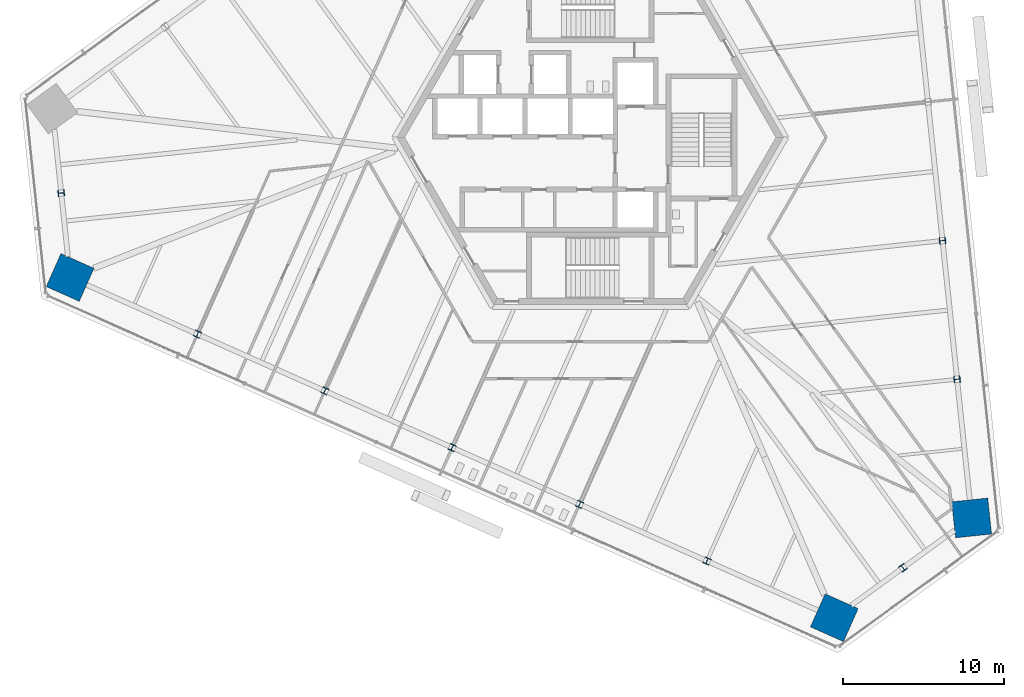
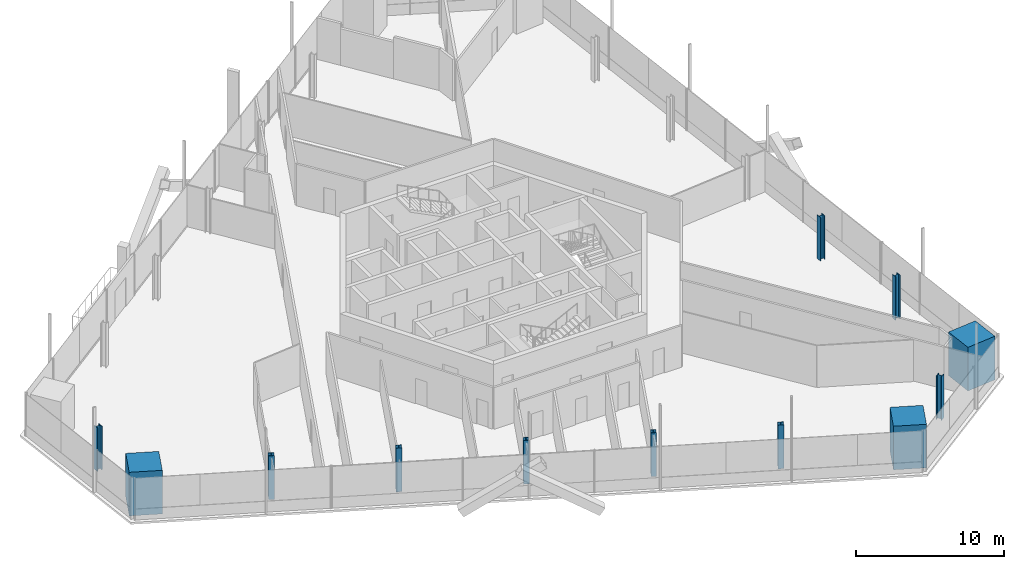
# One storey, part 1 of 21: 12 columns.
"""IFC4 building model written with IfcOpenShell, lengths in metres."""

from ifc_helpers import new_model, si_unit, direction, frame, origin, origin_2d, place, context, subcontext, project, spatial, rectangle, i_section, extrude, source, transform, mapped, material, material_profile, profile_set, type_object, element, save


model = new_model("IFC4")

# Units and contexts
model_context = context("Model", 3, precision=1e-05, world=origin(), true_north=direction((0.0, 1.0)))
body_context = subcontext(model_context, "Body", "Model", "MODEL_VIEW")
ifc_project = project(units=[si_unit("LENGTHUNIT", "METRE"), si_unit("AREAUNIT", "SQUARE_METRE"), si_unit("VOLUMEUNIT", "CUBIC_METRE"), si_unit("PLANEANGLEUNIT", "RADIAN"), si_unit("MASSUNIT", "GRAM", prefix="KILO")], contexts=[model_context])

# Site, building, storey
site_placement = place(None, origin())
site = spatial("IfcSite", under=ifc_project, at=site_placement, CompositionType="ELEMENT")
building_placement = place(site_placement, origin())
building = spatial("IfcBuilding", under=site, at=building_placement, Name="Triune Harvest Tower", CompositionType="ELEMENT")
storey_placement = place(building_placement, frame((0.0, 0.0, 72.89990234375)))
storey = spatial("IfcBuildingStorey", under=building, at=storey_placement, Name="L17", CompositionType="ELEMENT", Elevation=72.89990234375)

# Columns
ifc_material_1 = material(Name="Concrete 70 MPa", Category="concrete")
ifc_material_profile_1 = material_profile(ifc_material_1, rectangle(XDim=2.25, YDim=2.25, at=origin_2d()), Name="Composite 2250x2250")
ifc_profile_set_1 = profile_set([ifc_material_profile_1], Name="Concrete 70 MPa")
column_type_1 = type_object("IfcColumnType", Name="MC-2 Mega column Composite 2250x2250", PredefinedType="COLUMN", material=ifc_profile_set_1)
shared_shape_1 = source(origin(), body_context, "Body", "SweptSolid", [
    extrude(rectangle(XDim=2.25, YDim=2.25, at=origin_2d()), origin(), (0.0, 0.0, 1.0), 3.60009765625),
])
for number, where, z_axis, x_axis, name in (
    (1, (23.693359375, -23.6396484375, 0.0), (0.0, 0.0, 1.0), (-0.104526727499, 0.994522077803, 0.0), "col/L17/M0"),
    (2, (-32.319091796875, -8.69921875, 0.0), (0.0, 0.0, 1.0), (0.913545457643, -0.406736643076, 0.0), "col/L17/M16"),
    (3, (15.160888671875, -29.8388671875, 0.0), (0.0, 0.0, 1.0), (0.913545457643, -0.406736643076, 0.0), "col/L17/M22"),
):
    element("IfcColumn", number, at=place(storey_placement, frame(where, z_axis=z_axis, x_axis=x_axis)), inside=storey, type_object=column_type_1, Name=name, PredefinedType="COLUMN", context=body_context, shape_type="MappedRepresentation", body=[
        mapped(shared_shape_1, transform((0.0, 0.0, 0.0), scale=1.0)),
    ])
ifc_material_2 = material(Name="Steel ASTM A992 Gr 50", Category="steel")
ifc_material_profile_2 = material_profile(ifc_material_2, i_section(OverallWidth=0.398681640625, OverallDepth=0.393798828125, WebThickness=0.022705078125, FlangeThickness=0.03662109375, at=origin_2d()), Name="W14x193")
ifc_profile_set_2 = profile_set([ifc_material_profile_2], Name="Steel ASTM A992 Gr 50")
column_type_2 = type_object("IfcColumnType", Name="PC-2 Perimeter column W14x193", PredefinedType="COLUMN", material=ifc_profile_set_2)
shared_shape_2 = source(origin(), body_context, "Body", "SweptSolid", [
    extrude(i_section(OverallWidth=0.398681640625, OverallDepth=0.393798828125, WebThickness=0.022705078125, FlangeThickness=0.03662109375, at=origin_2d()), origin(), (0.0, 0.0, 1.0), 3.60009765625),
])
for number, where, z_axis, x_axis, name in (
    (4, (22.787841796875, -15.02490234375, 0.0), (0.0, 0.0, 1.0), (-0.104526727499, 0.994522077803, 0.0), "col/L17/P1"),
    (5, (21.88232421875, -6.409912109375, 0.0), (0.0, 0.0, 1.0), (-0.104526727499, 0.994522077803, 0.0), "col/L17/P2"),
    (6, (-32.870361328125, -3.454833984375, 0.0), (0.0, 0.0, 1.0), (0.104528463268, -0.994521895368, 0.0), "col/L17/P15"),
    (7, (-24.40576171875, -12.222412109375, 0.0), (0.0, 0.0, 1.0), (0.913545457643, -0.406736643076, 0.0), "col/L17/P17"),
    (8, (-16.492431640625, -15.745849609375, 0.0), (0.0, 0.0, 1.0), (0.913545457643, -0.406736643076, 0.0), "col/L17/P18"),
    (9, (-8.5791015625, -19.26904296875, 0.0), (0.0, 0.0, 1.0), (0.913545457643, -0.406736643076, 0.0), "col/L17/P19"),
    (10, (-0.665771484375, -22.792236328125, 0.0), (0.0, 0.0, 1.0), (0.913545457643, -0.406736643076, 0.0), "col/L17/P20"),
    (11, (7.24755859375, -26.3154296875, 0.0), (0.0, 0.0, 1.0), (0.913545457643, -0.406736643076, 0.0), "col/L17/P21"),
    (12, (19.427001953125, -26.7392578125, 0.0), (0.0, 0.0, 1.0), (0.809014942612, 0.587788076291, 0.0), "col/L17/P23"),
):
    element("IfcColumn", number, at=place(storey_placement, frame(where, z_axis=z_axis, x_axis=x_axis)), inside=storey, type_object=column_type_2, Name=name, PredefinedType="COLUMN", context=body_context, shape_type="MappedRepresentation", body=[
        mapped(shared_shape_2, transform((0.0, 0.0, 0.0), scale=1.0)),
    ])

save(model, "model.ifc")
